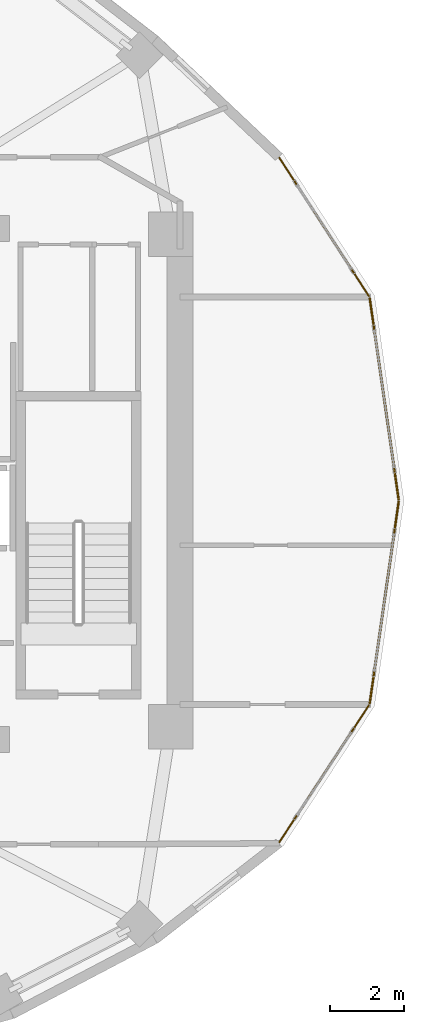
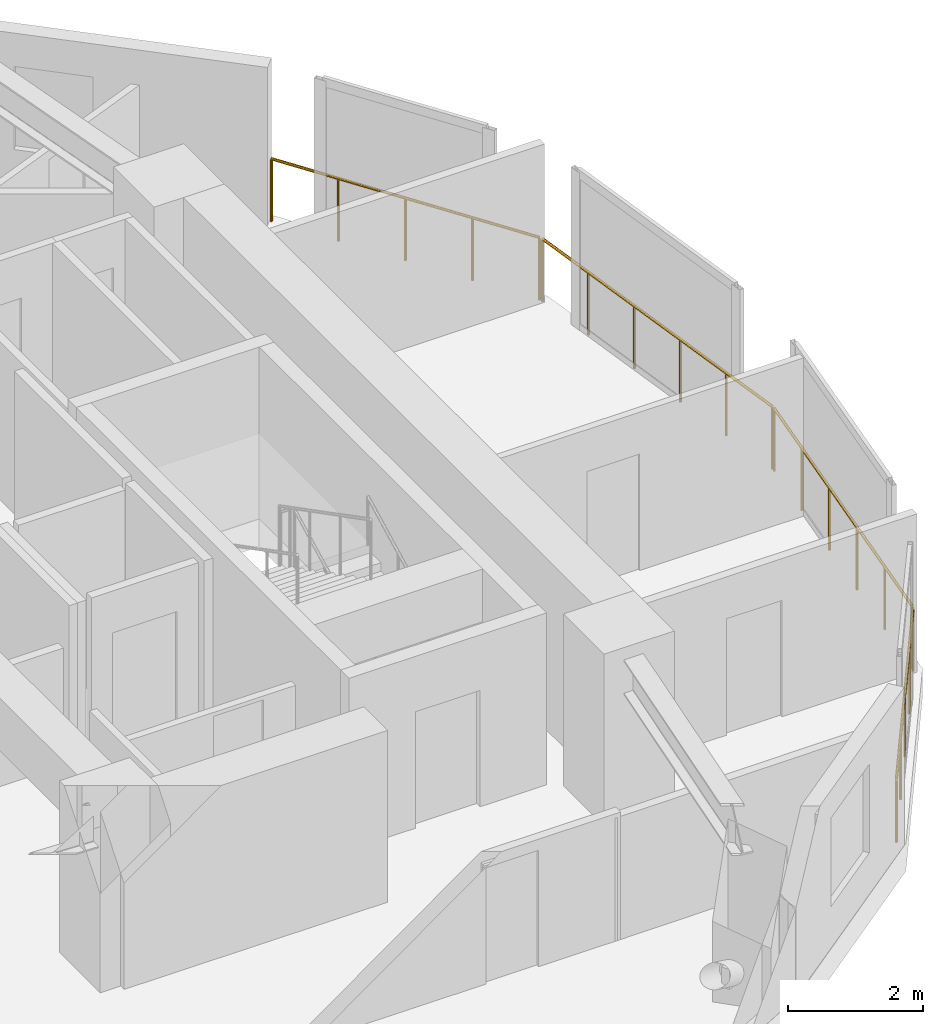
# One storey, part 13 of 13: 4 railings.
"""IFC4 building model written with IfcOpenShell, lengths in metres."""

from ifc_helpers import new_model, si_unit, direction, frame, origin, origin_2d, place, context, subcontext, project, spatial, circle, extrude, material, type_object, element, save


model = new_model("IFC4")

# Units and contexts
model_context = context("Model", 3, precision=1e-05, world=origin(), true_north=direction((0.0, 1.0)))
body_context = subcontext(model_context, "Body", "Model", "MODEL_VIEW")
ifc_project = project(units=[si_unit("LENGTHUNIT", "METRE"), si_unit("AREAUNIT", "SQUARE_METRE"), si_unit("VOLUMEUNIT", "CUBIC_METRE"), si_unit("PLANEANGLEUNIT", "RADIAN"), si_unit("MASSUNIT", "GRAM", prefix="KILO")], contexts=[model_context])

# Site, building, storey
site_placement = place(None, origin())
site = spatial("IfcSite", under=ifc_project, at=site_placement, CompositionType="ELEMENT")
building_placement = place(site_placement, origin())
building = spatial("IfcBuilding", under=site, at=building_placement, Name="Solvane Sanctuary Tower", CompositionType="ELEMENT")
storey_placement = place(building_placement, frame((0.0, 0.0, 152.89990234375)))
storey = spatial("IfcBuildingStorey", under=building, at=storey_placement, Name="L46", CompositionType="ELEMENT", Elevation=152.89990234375)

# Railings
ifc_material = material(Name="Architectural Stainless Steel 316", Category="steel")
railing_type = type_object("IfcRailingType", Name="Railing GR-BALC-1150", PredefinedType="BALUSTRADE", material=ifc_material)
railing_1_placement = place(storey_placement, frame((54.855712890625, 23.02978515625, 0.0)))
element("IfcRailing", 1, at=railing_1_placement, inside=storey, type_object=railing_type, Name="L46 Curtain-Wall Perimeter Sill Guard 00", PredefinedType="BALUSTRADE", context=body_context, shape_type="SweptSolid", body=[
    extrude(circle(Radius=0.02392578125, at=origin_2d()), frame((0.0, 0.0, 1.1259765625), z_axis=(-0.142230243532, 0.989833601079, 0.0), x_axis=(-0.989833601079, -0.142230243532, 0.0)), (0.0, 0.0, 1.0), 5.492919921875),
    extrude(circle(Radius=0.02099609375, at=origin_2d()), origin(), (0.0, 0.0, 1.0), 1.101806640625),
    extrude(circle(Radius=0.02099609375, at=origin_2d()), frame((-0.15625, 1.08740234375, 0.0)), (0.0, 0.0, 1.0), 1.101806640625),
    extrude(circle(Radius=0.02099609375, at=origin_2d()), frame((-0.3125, 2.1748046875, 0.0)), (0.0, 0.0, 1.0), 1.101806640625),
    extrude(circle(Radius=0.02099609375, at=origin_2d()), frame((-0.46875, 3.26220703125, 0.0)), (0.0, 0.0, 1.0), 1.101806640625),
    extrude(circle(Radius=0.02099609375, at=origin_2d()), frame((-0.625, 4.349609375, 0.0)), (0.0, 0.0, 1.0), 1.101806640625),
    extrude(circle(Radius=0.02099609375, at=origin_2d()), frame((-0.78125, 5.43701171875, 0.0)), (0.0, 0.0, 1.0), 1.101806640625),
])
railing_2_placement = place(storey_placement, frame((54.053955078125, 28.521728515625, 0.0)))
element("IfcRailing", 2, at=railing_2_placement, inside=storey, type_object=railing_type, Name="L46 Curtain-Wall Perimeter Sill Guard 01", PredefinedType="BALUSTRADE", context=body_context, shape_type="SweptSolid", body=[
    extrude(circle(Radius=0.02392578125, at=origin_2d()), frame((0.0, 0.0, 1.1259765625), z_axis=(-0.543333147582, 0.839517177155, 0.0), x_axis=(-0.839517177155, -0.543333147582, 0.0)), (0.0, 0.0, 1.0), 4.451171875),
    extrude(circle(Radius=0.02099609375, at=origin_2d()), origin(), (0.0, 0.0, 1.0), 1.101806640625),
    extrude(circle(Radius=0.02099609375, at=origin_2d()), frame((-0.6044921875, 0.93408203125, 0.0)), (0.0, 0.0, 1.0), 1.101806640625),
    extrude(circle(Radius=0.02099609375, at=origin_2d()), frame((-1.209228515625, 1.868408203125, 0.0)), (0.0, 0.0, 1.0), 1.101806640625),
    extrude(circle(Radius=0.02099609375, at=origin_2d()), frame((-1.81396484375, 2.802734375, 0.0)), (0.0, 0.0, 1.0), 1.101806640625),
    extrude(circle(Radius=0.02099609375, at=origin_2d()), frame((-2.41845703125, 3.73681640625, 0.0)), (0.0, 0.0, 1.0), 1.101806640625),
])
railing_3_placement = place(storey_placement, frame((51.635498046875, 13.78173828125, 0.0)))
element("IfcRailing", 3, at=railing_3_placement, inside=storey, type_object=railing_type, Name="L46 Curtain-Wall Perimeter Sill Guard 22", PredefinedType="BALUSTRADE", context=body_context, shape_type="SweptSolid", body=[
    extrude(circle(Radius=0.02392578125, at=origin_2d()), frame((0.0, 0.0, 1.1259765625), z_axis=(0.547422082953, 0.836856656241, 0.0), x_axis=(-0.836856656241, 0.547422082953, 0.0)), (0.0, 0.0, 1.0), 4.41748046875),
    extrude(circle(Radius=0.02099609375, at=origin_2d()), origin(), (0.0, 0.0, 1.0), 1.101806640625),
    extrude(circle(Radius=0.02099609375, at=origin_2d()), frame((0.6044921875, 0.92431640625, 0.0)), (0.0, 0.0, 1.0), 1.101806640625),
    extrude(circle(Radius=0.02099609375, at=origin_2d()), frame((1.208984375, 1.848388671875, 0.0)), (0.0, 0.0, 1.0), 1.101806640625),
    extrude(circle(Radius=0.02099609375, at=origin_2d()), frame((1.813720703125, 2.7724609375, 0.0)), (0.0, 0.0, 1.0), 1.101806640625),
    extrude(circle(Radius=0.02099609375, at=origin_2d()), frame((2.418212890625, 3.69677734375, 0.0)), (0.0, 0.0, 1.0), 1.101806640625),
])
railing_4_placement = place(storey_placement, frame((54.074462890625, 17.533203125, 0.0)))
element("IfcRailing", 4, at=railing_4_placement, inside=storey, type_object=railing_type, Name="L46 Curtain-Wall Perimeter Sill Guard 23", PredefinedType="BALUSTRADE", context=body_context, shape_type="SweptSolid", body=[
    extrude(circle(Radius=0.02392578125, at=origin_2d()), frame((0.0, 0.0, 1.1259765625), z_axis=(0.142230243532, 0.989833601079, 0.0), x_axis=(-0.989833601079, 0.142230243532, 0.0)), (0.0, 0.0, 1.0), 5.492919921875),
    extrude(circle(Radius=0.02099609375, at=origin_2d()), origin(), (0.0, 0.0, 1.0), 1.101806640625),
    extrude(circle(Radius=0.02099609375, at=origin_2d()), frame((0.15625, 1.08740234375, 0.0)), (0.0, 0.0, 1.0), 1.101806640625),
    extrude(circle(Radius=0.02099609375, at=origin_2d()), frame((0.3125, 2.1748046875, 0.0)), (0.0, 0.0, 1.0), 1.101806640625),
    extrude(circle(Radius=0.02099609375, at=origin_2d()), frame((0.46875, 3.26220703125, 0.0)), (0.0, 0.0, 1.0), 1.101806640625),
    extrude(circle(Radius=0.02099609375, at=origin_2d()), frame((0.625, 4.349609375, 0.0)), (0.0, 0.0, 1.0), 1.101806640625),
    extrude(circle(Radius=0.02099609375, at=origin_2d()), frame((0.78125, 5.43701171875, 0.0)), (0.0, 0.0, 1.0), 1.101806640625),
])

save(model, "model.ifc")
